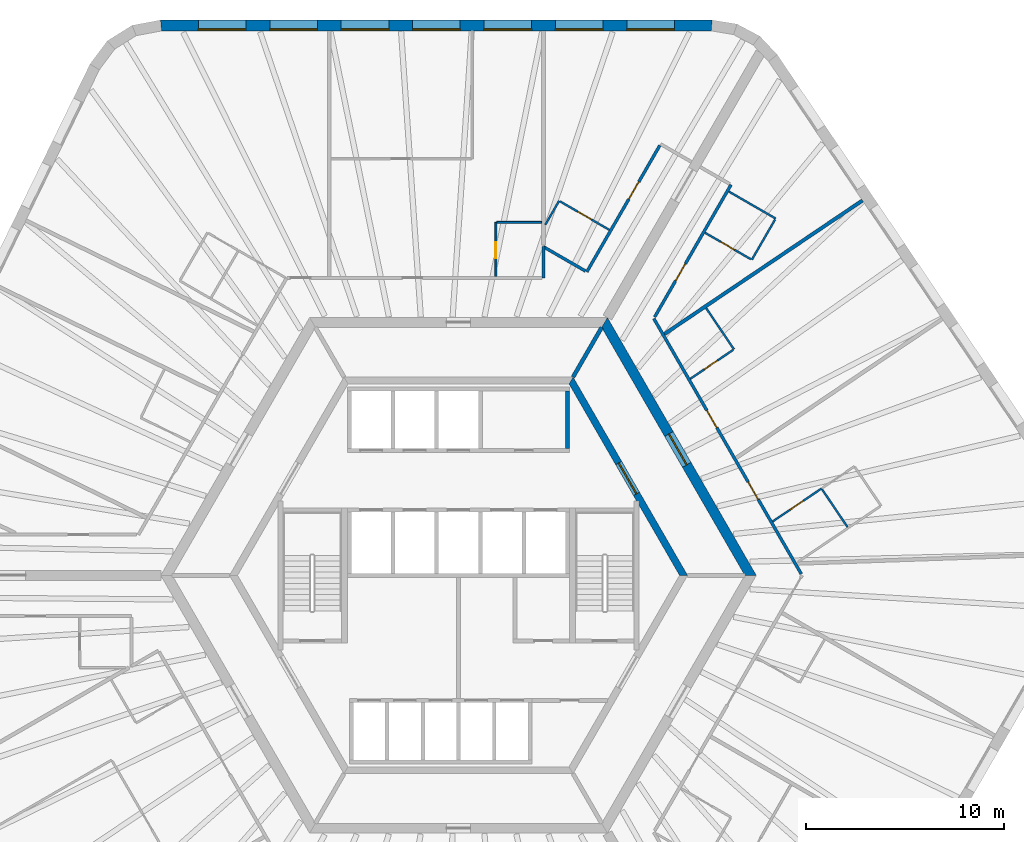
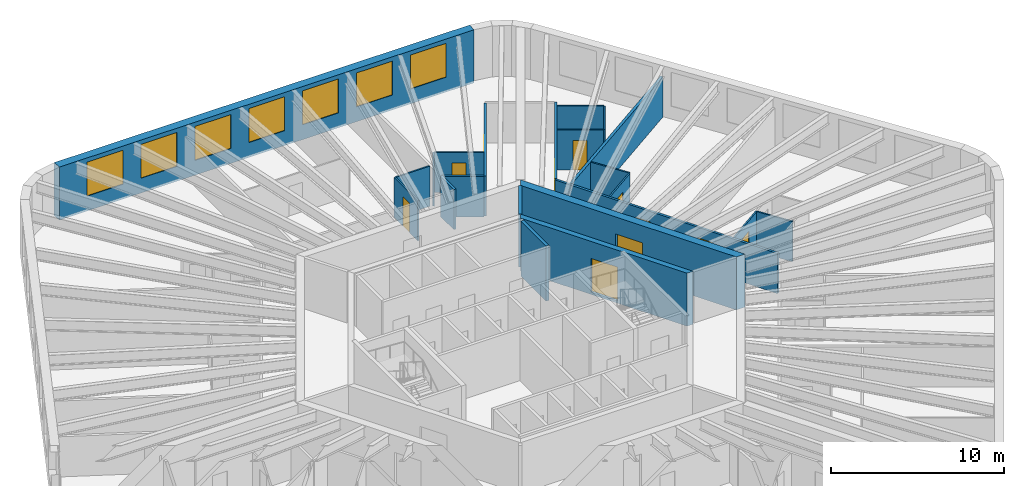
# One storey, part 8 of 10: 22 walls, 11 doors, 7 windows, 18 openings.
"""IFC4 building model written with IfcOpenShell, lengths in metres."""

from ifc_helpers import new_model, si_unit, direction, frame, frame_2d, origin, place, context, subcontext, project, spatial, polyline, rectangle, outline, extrude, material, layer, layer_set, type_object, element, fill, save


model = new_model("IFC4")

# Units and contexts
model_context = context("Model", 3, precision=1e-05, world=origin(), true_north=direction((0.0, 1.0)))
body_context = subcontext(model_context, "Body", "Model", "MODEL_VIEW")
ifc_project = project(units=[si_unit("LENGTHUNIT", "METRE"), si_unit("AREAUNIT", "SQUARE_METRE"), si_unit("VOLUMEUNIT", "CUBIC_METRE"), si_unit("PLANEANGLEUNIT", "RADIAN"), si_unit("MASSUNIT", "GRAM", prefix="KILO")], contexts=[model_context])

# Site, building, storey
site_placement = place(None, origin())
site = spatial("IfcSite", under=ifc_project, at=site_placement, CompositionType="ELEMENT")
building_placement = place(site_placement, origin())
building = spatial("IfcBuilding", under=site, at=building_placement, Name="Tarnside Tower", CompositionType="ELEMENT")
storey_placement = place(building_placement, frame((0.0, 0.0, 246.300048828125)))
storey = spatial("IfcBuildingStorey", under=building, at=storey_placement, Name="L59", CompositionType="ELEMENT", Elevation=246.300048828125)

# Wall
ifc_material_1 = material(Name="Gypsum board partition on steel studs", Category="steel")
ifc_layer_1 = layer(ifc_material_1, 0.10009765625)
ifc_layer_set_1 = layer_set([ifc_layer_1], Name="Bathroom wall 100")
wall_type_1 = type_object("IfcWallType", Name="Bathroom wall 100", PredefinedType="PARTITIONING", material=ifc_layer_set_1)
wall_1_placement = place(storey_placement, frame((4.3720703125, 17.6728515625, 0.0), z_axis=(0.0, 0.0, 1.0), x_axis=(0.50007068215, 0.86598459158, 0.0)))
element("IfcWall", 1, at=wall_1_placement, inside=storey, type_object=wall_type_1, Name="Bathroom wall 19051", PredefinedType="PARTITIONING", context=body_context, shape_type="SweptSolid", body=[
    extrude(rectangle(XDim=1.395751953125, YDim=0.10009765625, at=frame_2d((0.69775390625, 0.0))), origin(), (0.0, 0.0, 1.0), 2.837646484375),
])

# Wall, opening, door
wall_2_placement = place(storey_placement, frame((5.11328125, 18.856689453125, 0.0), z_axis=(0.0, 0.0, 1.0), x_axis=(0.866039941686, -0.499974818771, 0.0)))
wall_2 = element("IfcWall", 2, at=wall_2_placement, inside=storey, type_object=wall_type_1, Name="Bathroom wall 19052", PredefinedType="PARTITIONING", context=body_context, shape_type="SweptSolid", body=[
    extrude(rectangle(XDim=2.875244140625, YDim=0.10009765625, at=frame_2d((1.4375, 0.0))), origin(), (0.0, 0.0, 1.0), 2.837646484375),
])
opening_1_placement = place(wall_2_placement, frame((1.050048828125, 0.0, 0.0)))
opening_1 = element("IfcOpeningElement", 3, at=opening_1_placement, cuts=wall_2, Name="Opening D-B1", PredefinedType="OPENING", context=body_context, shape_type="SweptSolid", body=[
    extrude(rectangle(XDim=0.800048828125, YDim=2.10009765625, at=frame_2d((0.39990234375, 1.050048828125))), frame((0.0, 0.06005859375, 0.0), z_axis=(0.0, -1.0, 0.0), x_axis=(1.0, 0.0, 0.0)), (0.0, 0.0, 1.0), 0.1201171875),
])
ifc_material_2 = material(Name="Timber door leaf", Category="wood")
door_type_1 = type_object("IfcDoorType", Name="Bathroom door 800", OperationType="NOTDEFINED", PredefinedType="DOOR", material=ifc_material_2)
door_1_placement = place(opening_1_placement, origin())
door_1 = element("IfcDoor", 4, at=door_1_placement, inside=storey, type_object=door_type_1, Name="Bathroom door 19002", OperationType="SINGLE_SWING_RIGHT", OverallHeight=2.10009765625, OverallWidth=0.800048828125, PredefinedType="DOOR", context=body_context, shape_type="SweptSolid", body=[
    extrude(rectangle(XDim=0.800048828125, YDim=2.10009765625, at=frame_2d((0.39990234375, 1.050048828125))), frame((0.0, 0.02490234375, 0.0), z_axis=(0.0, -1.0, 0.0), x_axis=(1.0, 0.0, 0.0)), (0.0, 0.0, 1.0), 0.050048828125),
])
fill(opening_1, door_1)

wall_3_placement = place(storey_placement, frame((1.882080078125, 15.074951171875, 0.0), z_axis=(0.0, 0.0, 1.0), x_axis=(0.0, 1.0, 0.0)))
wall_3 = element("IfcWall", 5, at=wall_3_placement, inside=storey, type_object=wall_type_1, Name="Bathroom wall 19056", PredefinedType="PARTITIONING", context=body_context, shape_type="SweptSolid", body=[
    extrude(rectangle(XDim=2.72509765625, YDim=0.10009765625, at=frame_2d((1.362548828125, 0.0))), origin(), (0.0, 0.0, 1.0), 2.837646484375),
])
opening_2_placement = place(wall_3_placement, frame((0.925048828125, 0.0, 0.0)))
opening_2 = element("IfcOpeningElement", 6, at=opening_2_placement, cuts=wall_3, Name="Opening D-B1", PredefinedType="OPENING", context=body_context, shape_type="SweptSolid", body=[
    extrude(rectangle(XDim=0.800048828125, YDim=2.10009765625, at=frame_2d((0.39990234375, 1.050048828125))), frame((0.0, 0.06005859375, 0.0), z_axis=(0.0, -1.0, 0.0), x_axis=(1.0, 0.0, 0.0)), (0.0, 0.0, 1.0), 0.1201171875),
])
door_2_placement = place(opening_2_placement, origin())
door_2 = element("IfcDoor", 7, at=door_2_placement, inside=storey, type_object=door_type_1, Name="Bathroom door 19004", OperationType="SINGLE_SWING_RIGHT", OverallHeight=2.10009765625, OverallWidth=0.800048828125, PredefinedType="DOOR", context=body_context, shape_type="SweptSolid", body=[
    extrude(rectangle(XDim=0.800048828125, YDim=2.10009765625, at=frame_2d((0.39990234375, 1.050048828125))), frame((0.0, 0.02490234375, 0.0), z_axis=(0.0, -1.0, 0.0), x_axis=(1.0, 0.0, 0.0)), (0.0, 0.0, 1.0), 0.050048828125),
])
fill(opening_2, door_2)

# Wall
wall_4_placement = place(storey_placement, frame((1.93212890625, 17.800048828125, 0.0), z_axis=(0.0, 0.0, 1.0), x_axis=(1.0, 0.0, 0.0)))
element("IfcWall", 8, at=wall_4_placement, inside=storey, type_object=wall_type_1, Name="Bathroom wall 19057", PredefinedType="PARTITIONING", context=body_context, shape_type="SweptSolid", body=[
    extrude(rectangle(XDim=2.260009765625, YDim=0.10009765625, at=frame_2d((1.1298828125, 0.0))), origin(), (0.0, 0.0, 1.0), 2.837646484375),
])

# Wall, opening, door
wall_5_placement = place(storey_placement, frame((15.837646484375, 2.718505859375, 0.0), z_axis=(0.0, 0.0, 1.0), x_axis=(0.829027811096, 0.559207375156, 0.0)))
wall_5 = element("IfcWall", 9, at=wall_5_placement, inside=storey, type_object=wall_type_1, Name="Bathroom wall 19110", PredefinedType="PARTITIONING", context=body_context, shape_type="SweptSolid", body=[
    extrude(rectangle(XDim=2.9697265625, YDim=0.10009765625, at=frame_2d((1.48486328125, 0.0))), origin(), (0.0, 0.0, 1.0), 2.837646484375),
])
opening_3_placement = place(wall_5_placement, frame((1.06982421875, 0.0, 0.0)))
opening_3 = element("IfcOpeningElement", 10, at=opening_3_placement, cuts=wall_5, Name="Opening D-B1", PredefinedType="OPENING", context=body_context, shape_type="SweptSolid", body=[
    extrude(rectangle(XDim=0.800048828125, YDim=2.10009765625, at=frame_2d((0.39990234375, 1.050048828125))), frame((0.0, 0.06005859375, 0.0), z_axis=(0.0, -1.0, 0.0), x_axis=(1.0, 0.0, 0.0)), (0.0, 0.0, 1.0), 0.1201171875),
])
door_3_placement = place(opening_3_placement, origin())
door_3 = element("IfcDoor", 11, at=door_3_placement, inside=storey, type_object=door_type_1, Name="Bathroom door 19033", OperationType="SINGLE_SWING_RIGHT", OverallHeight=2.10009765625, OverallWidth=0.800048828125, PredefinedType="DOOR", context=body_context, shape_type="SweptSolid", body=[
    extrude(rectangle(XDim=0.800048828125, YDim=2.10009765625, at=frame_2d((0.39990234375, 1.050048828125))), frame((0.0, 0.02490234375, 0.0), z_axis=(0.0, -1.0, 0.0), x_axis=(1.0, 0.0, 0.0)), (0.0, 0.0, 1.0), 0.050048828125),
])
fill(opening_3, door_3)

# Walls
wall_6_placement = place(storey_placement, frame((19.61376953125, 2.430908203125, 0.0), z_axis=(0.0, 0.0, 1.0), x_axis=(-0.559199358977, 0.829033218225, 0.0)))
element("IfcWall", 12, at=wall_6_placement, inside=storey, type_object=wall_type_1, Name="Bathroom wall 19116", PredefinedType="PARTITIONING", context=body_context, shape_type="SweptSolid", body=[
    extrude(rectangle(XDim=2.300048828125, YDim=0.10009765625, at=frame_2d((1.14990234375, 0.0))), origin(), (0.0, 0.0, 1.0), 2.837646484375),
])
wall_7_placement = place(storey_placement, frame((12.482666015625, 13.47607421875, 0.0), z_axis=(0.0, 0.0, 1.0), x_axis=(0.559203861497, -0.829030181168, 0.0)))
element("IfcWall", 13, at=wall_7_placement, inside=storey, type_object=wall_type_1, Name="Bathroom wall 19117", PredefinedType="PARTITIONING", context=body_context, shape_type="SweptSolid", body=[
    extrude(rectangle(XDim=2.510009765625, YDim=0.10009765625, at=frame_2d((1.2548828125, 0.0))), origin(), (0.0, 0.0, 1.0), 2.837646484375),
])

# Wall, opening, door
wall_8_placement = place(storey_placement, frame((13.8447265625, 11.3671875, 0.0), z_axis=(0.0, 0.0, 1.0), x_axis=(-0.829068087245, -0.55914766092, 0.0)))
wall_8 = element("IfcWall", 14, at=wall_8_placement, inside=storey, type_object=wall_type_1, Name="Bathroom wall 19118", PredefinedType="PARTITIONING", context=body_context, shape_type="SweptSolid", body=[
    extrude(rectangle(XDim=2.60498046875, YDim=0.10009765625, at=frame_2d((1.302490234375, 0.0))), origin(), (0.0, 0.0, 1.0), 2.837646484375),
])
opening_4_placement = place(wall_8_placement, frame((0.949951171875, 0.0, 0.0)))
opening_4 = element("IfcOpeningElement", 15, at=opening_4_placement, cuts=wall_8, Name="Opening D-B1", PredefinedType="OPENING", context=body_context, shape_type="SweptSolid", body=[
    extrude(rectangle(XDim=0.800048828125, YDim=2.10009765625, at=frame_2d((0.39990234375, 1.050048828125))), frame((0.0, 0.06005859375, 0.0), z_axis=(0.0, -1.0, 0.0), x_axis=(1.0, 0.0, 0.0)), (0.0, 0.0, 1.0), 0.1201171875),
])
door_4_placement = place(opening_4_placement, origin())
door_4 = element("IfcDoor", 16, at=door_4_placement, inside=storey, type_object=door_type_1, Name="Bathroom door 19036", OperationType="SINGLE_SWING_LEFT", OverallHeight=2.10009765625, OverallWidth=0.800048828125, PredefinedType="DOOR", context=body_context, shape_type="SweptSolid", body=[
    extrude(rectangle(XDim=0.800048828125, YDim=2.10009765625, at=frame_2d((0.39990234375, 1.050048828125))), frame((0.0, 0.02490234375, 0.0), z_axis=(0.0, -1.0, 0.0), x_axis=(1.0, 0.0, 0.0)), (0.0, 0.0, 1.0), 0.050048828125),
])
fill(opening_4, door_4)

# Walls
wall_9_placement = place(storey_placement, frame((13.626708984375, 19.352294921875, 0.0), z_axis=(0.0, 0.0, 1.0), x_axis=(0.866012511928, -0.500022328685, 0.0)))
element("IfcWall", 17, at=wall_9_placement, inside=storey, type_object=wall_type_1, Name="Bathroom wall 19121", PredefinedType="PARTITIONING", context=body_context, shape_type="SweptSolid", body=[
    extrude(rectangle(XDim=2.72509765625, YDim=0.10009765625, at=frame_2d((1.362548828125, 0.0))), origin(), (0.0, 0.0, 1.0), 2.837646484375),
])
wall_10_placement = place(storey_placement, frame((15.961669921875, 17.946533203125, 0.0), z_axis=(0.0, 0.0, 1.0), x_axis=(-0.500016218704, -0.866016039709, 0.0)))
element("IfcWall", 18, at=wall_10_placement, inside=storey, type_object=wall_type_1, Name="Bathroom wall 19122", PredefinedType="PARTITIONING", context=body_context, shape_type="SweptSolid", body=[
    extrude(rectangle(XDim=2.35009765625, YDim=0.10009765625, at=frame_2d((1.175048828125, 0.0))), origin(), (0.0, 0.0, 1.0), 2.837646484375),
])

# Wall, opening, door
wall_11_placement = place(storey_placement, frame((14.743408203125, 15.936279296875, 0.0), z_axis=(0.0, 0.0, 1.0), x_axis=(-0.86604424267, 0.499967368674, 0.0)))
wall_11 = element("IfcWall", 19, at=wall_11_placement, inside=storey, type_object=wall_type_1, Name="Bathroom wall 19123", PredefinedType="PARTITIONING", context=body_context, shape_type="SweptSolid", body=[
    extrude(rectangle(XDim=2.675048828125, YDim=0.10009765625, at=frame_2d((1.33740234375, 0.0))), origin(), (0.0, 0.0, 1.0), 2.837646484375),
])
opening_5_placement = place(wall_11_placement, frame((0.949951171875, 0.0, 0.0)))
opening_5 = element("IfcOpeningElement", 20, at=opening_5_placement, cuts=wall_11, Name="Opening D-B1", PredefinedType="OPENING", context=body_context, shape_type="SweptSolid", body=[
    extrude(rectangle(XDim=0.800048828125, YDim=2.10009765625, at=frame_2d((0.39990234375, 1.050048828125))), frame((0.0, 0.06005859375, 0.0), z_axis=(0.0, -1.0, 0.0), x_axis=(1.0, 0.0, 0.0)), (0.0, 0.0, 1.0), 0.1201171875),
])
door_5_placement = place(opening_5_placement, origin())
door_5 = element("IfcDoor", 21, at=door_5_placement, inside=storey, type_object=door_type_1, Name="Bathroom door 19038", OperationType="SINGLE_SWING_RIGHT", OverallHeight=2.10009765625, OverallWidth=0.800048828125, PredefinedType="DOOR", context=body_context, shape_type="SweptSolid", body=[
    extrude(rectangle(XDim=0.800048828125, YDim=2.10009765625, at=frame_2d((0.39990234375, 1.050048828125))), frame((0.0, 0.02490234375, 0.0), z_axis=(0.0, -1.0, 0.0), x_axis=(1.0, 0.0, 0.0)), (0.0, 0.0, 1.0), 0.050048828125),
])
fill(opening_5, door_5)

ifc_material_3 = material(Name="Concrete C50/60", Category="concrete")
ifc_layer_2 = layer(ifc_material_3, 0.35009765625)
ifc_layer_set_2 = layer_set([ifc_layer_2], Name="Core block wall 350 C50/60")
wall_type_2 = type_object("IfcWallType", Name="Core block wall 350 C50/60", PredefinedType="SHEAR", material=ifc_layer_set_2)
wall_12_placement = place(storey_placement, frame((11.344970703125, 0.0, -0.150146484375), z_axis=(0.0, 0.0, 1.0), x_axis=(-0.499995046907, 0.866028263435, 0.0)))
wall_12 = element("IfcWall", 22, at=wall_12_placement, inside=storey, type_object=wall_type_2, Name="L59 core block wall face 6", PredefinedType="SHEAR", context=body_context, shape_type="SweptSolid", body=[
    extrude(outline(polyline([(-0.10107421875, -0.175048828125), (11.44580078125, -0.175048828125), (11.24365234375, 0.175048828125), (0.10107421875, 0.175048828125), (-0.10107421875, -0.175048828125)])), origin(), (0.0, 0.0, 1.0), 3.75),
])
opening_6_placement = place(wall_12_placement, frame((4.74365234375, 0.0, 0.14990234375)))
opening_6 = element("IfcOpeningElement", 23, at=opening_6_placement, cuts=wall_12, Name="Opening CD-LOB", PredefinedType="OPENING", context=body_context, shape_type="SweptSolid", body=[
    extrude(rectangle(XDim=1.800048828125, YDim=2.39990234375, at=frame_2d((0.89990234375, 1.199951171875))), frame((0.0, 0.18505859375, 0.0), z_axis=(0.0, -1.0, 0.0), x_axis=(1.0, 0.0, 0.0)), (0.0, 0.0, 1.0), 0.3701171875),
])
ifc_material_4 = material(Name="Steel fire door", Category="steel")
door_type_2 = type_object("IfcDoorType", Name="Lobby double door FD30S 1800x2400", OperationType="NOTDEFINED", PredefinedType="DOOR", material=ifc_material_4)
door_6_placement = place(opening_6_placement, origin())
door_6 = element("IfcDoor", 24, at=door_6_placement, inside=storey, type_object=door_type_2, Name="L59 lobby block door P2", OperationType="DOUBLE_DOOR_SINGLE_SWING", OverallHeight=2.39990234375, OverallWidth=1.800048828125, PredefinedType="DOOR", context=body_context, shape_type="SweptSolid", body=[
    extrude(rectangle(XDim=1.800048828125, YDim=2.39990234375, at=frame_2d((0.89990234375, 1.199951171875))), frame((0.0, 0.02490234375, 0.0), z_axis=(0.0, -1.0, 0.0), x_axis=(1.0, 0.0, 0.0)), (0.0, 0.0, 1.0), 0.050048828125),
])
fill(opening_6, door_6)

ifc_material_5 = material(Name="Concrete C70/85", Category="concrete")
ifc_layer_3 = layer(ifc_material_5, 0.5)
ifc_layer_set_3 = layer_set([ifc_layer_3], Name="Core wall Z2 500 C70/85")
wall_type_3 = type_object("IfcWallType", Name="Core wall Z2 500 C70/85", PredefinedType="SHEAR", material=ifc_layer_set_3)
wall_13_placement = place(storey_placement, frame((14.722412109375, 0.0, -0.150146484375), z_axis=(0.0, 0.0, 1.0), x_axis=(-0.50000571537, 0.866022103989, 0.0)))
wall_13 = element("IfcWall", 25, at=wall_13_placement, inside=storey, type_object=wall_type_3, Name="L59 core wall face 6", PredefinedType="SHEAR", context=body_context, shape_type="SweptSolid", body=[
    extrude(outline(polyline([(-0.144287109375, -0.25), (14.86669921875, -0.25), (14.578125, 0.25), (0.144287109375, 0.25), (-0.144287109375, -0.25)])), origin(), (0.0, 0.0, 1.0), 3.75),
])
opening_7_placement = place(wall_13_placement, frame((6.432373046875, 0.0, 0.14990234375)))
opening_7 = element("IfcOpeningElement", 26, at=opening_7_placement, cuts=wall_13, Name="Opening CD-LOB", PredefinedType="OPENING", context=body_context, shape_type="SweptSolid", body=[
    extrude(rectangle(XDim=1.800048828125, YDim=2.39990234375, at=frame_2d((0.89990234375, 1.199951171875))), frame((0.0, 0.260009765625, 0.0), z_axis=(0.0, -1.0, 0.0), x_axis=(1.0, 0.0, 0.0)), (0.0, 0.0, 1.0), 0.52001953125),
])
door_7_placement = place(opening_7_placement, origin())
door_7 = element("IfcDoor", 27, at=door_7_placement, inside=storey, type_object=door_type_2, Name="L59 core door P2", OperationType="DOUBLE_DOOR_SINGLE_SWING", OverallHeight=2.39990234375, OverallWidth=1.800048828125, PredefinedType="DOOR", context=body_context, shape_type="SweptSolid", body=[
    extrude(rectangle(XDim=1.800048828125, YDim=2.39990234375, at=frame_2d((0.89990234375, 1.199951171875))), frame((0.0, 0.02490234375, 0.0), z_axis=(0.0, -1.0, 0.0), x_axis=(1.0, 0.0, 0.0)), (0.0, 0.0, 1.0), 0.050048828125),
])
fill(opening_7, door_7)

ifc_layer_4 = layer(ifc_material_1, 0.14990234375)
ifc_layer_set_4 = layer_set([ifc_layer_4], Name="Corridor wall 150 EI 60")
wall_type_4 = type_object("IfcWallType", Name="Corridor wall 150 EI 60", PredefinedType="PARTITIONING", material=ifc_layer_set_4)
wall_14_placement = place(storey_placement, frame((10.148681640625, 21.677978515625, 0.0), z_axis=(0.0, 0.0, 1.0), x_axis=(-0.500020076982, -0.866013812023, 0.0)))
wall_14 = element("IfcWall", 28, at=wall_14_placement, inside=storey, type_object=wall_type_4, Name="Corridor wall 19002", PredefinedType="PARTITIONING", context=body_context, shape_type="SweptSolid", body=[
    extrude(rectangle(XDim=7.361083984375, YDim=0.14990234375, at=frame_2d((3.6806640625, 0.0))), origin(), (0.0, 0.0, 1.0), 2.837646484375),
])
opening_8_placement = place(wall_14_placement, frame((2.117919921875, 0.0, 0.0)))
opening_8 = element("IfcOpeningElement", 29, at=opening_8_placement, cuts=wall_14, Name="Opening D-E1", PredefinedType="OPENING", context=body_context, shape_type="SweptSolid", body=[
    extrude(rectangle(XDim=1.0, YDim=2.10009765625, at=frame_2d((0.5, 1.050048828125))), frame((0.0, 0.0849609375, 0.0), z_axis=(0.0, -1.0, 0.0), x_axis=(1.0, 0.0, 0.0)), (0.0, 0.0, 1.0), 0.169921875),
])
door_type_3 = type_object("IfcDoorType", Name="Unit entrance door 1000 FD30S", OperationType="NOTDEFINED", PredefinedType="DOOR", material=ifc_material_2)
door_8_placement = place(opening_8_placement, origin())
door_8 = element("IfcDoor", 30, at=door_8_placement, inside=storey, type_object=door_type_3, Name="Unit door 19001", OperationType="SINGLE_SWING_LEFT", OverallHeight=2.10009765625, OverallWidth=1.0, PredefinedType="DOOR", context=body_context, shape_type="SweptSolid", body=[
    extrude(rectangle(XDim=1.0, YDim=2.10009765625, at=frame_2d((0.5, 1.050048828125))), frame((0.0, 0.02490234375, 0.0), z_axis=(0.0, -1.0, 0.0), x_axis=(1.0, 0.0, 0.0)), (0.0, 0.0, 1.0), 0.050048828125),
])
fill(opening_8, door_8)

# Walls
wall_15_placement = place(storey_placement, frame((6.403076171875, 15.340576171875, 0.0), z_axis=(0.0, 0.0, 1.0), x_axis=(-0.8660013066, 0.500041735226, 0.0)))
element("IfcWall", 31, at=wall_15_placement, inside=storey, type_object=wall_type_4, Name="Corridor wall 19004", PredefinedType="PARTITIONING", context=body_context, shape_type="SweptSolid", body=[
    extrude(rectangle(XDim=2.448974609375, YDim=0.14990234375, at=frame_2d((1.224609375, 0.0))), origin(), (0.0, 0.0, 1.0), 2.837646484375),
])
wall_16_placement = place(storey_placement, frame((4.2822265625, 16.569091796875, 0.0), z_axis=(0.0, 0.0, 1.0), x_axis=(0.0, -1.0, 0.0)))
element("IfcWall", 32, at=wall_16_placement, inside=storey, type_object=wall_type_4, Name="Corridor wall 19006", PredefinedType="PARTITIONING", context=body_context, shape_type="SweptSolid", body=[
    extrude(rectangle(XDim=1.569091796875, YDim=0.14990234375, at=frame_2d((0.78466796875, 0.0))), origin(), (0.0, 0.0, 1.0), 2.837646484375),
])

# Wall, openings, doors
wall_17_placement = place(storey_placement, frame((17.277099609375, 0.074951171875, 0.0), z_axis=(0.0, 0.0, 1.0), x_axis=(-0.499998228944, 0.866026426302, 0.0)))
wall_17 = element("IfcWall", 33, at=wall_17_placement, inside=storey, type_object=wall_type_4, Name="Corridor wall 19041", PredefinedType="PARTITIONING", context=body_context, shape_type="SweptSolid", body=[
    extrude(rectangle(XDim=14.86669921875, YDim=0.14990234375, at=frame_2d((7.433349609375, 0.0))), origin(), (0.0, 0.0, 1.0), 2.837646484375),
])
opening_9_placement = place(wall_17_placement, frame((4.3447265625, 0.0, 0.0)))
opening_9 = element("IfcOpeningElement", 34, at=opening_9_placement, cuts=wall_17, Name="Opening D-E1", PredefinedType="OPENING", context=body_context, shape_type="SweptSolid", body=[
    extrude(rectangle(XDim=1.0, YDim=2.10009765625, at=frame_2d((0.5, 1.050048828125))), frame((0.0, 0.0849609375, 0.0), z_axis=(0.0, -1.0, 0.0), x_axis=(1.0, 0.0, 0.0)), (0.0, 0.0, 1.0), 0.169921875),
])
opening_10_placement = place(wall_17_placement, frame((8.509521484375, 0.0, 0.0)))
opening_10 = element("IfcOpeningElement", 35, at=opening_10_placement, cuts=wall_17, Name="Opening D-E1", PredefinedType="OPENING", context=body_context, shape_type="SweptSolid", body=[
    extrude(rectangle(XDim=1.0, YDim=2.10009765625, at=frame_2d((0.5, 1.050048828125))), frame((0.0, 0.0849609375, 0.0), z_axis=(0.0, -1.0, 0.0), x_axis=(1.0, 0.0, 0.0)), (0.0, 0.0, 1.0), 0.169921875),
])
door_9_placement = place(opening_9_placement, origin())
door_9 = element("IfcDoor", 36, at=door_9_placement, inside=storey, type_object=door_type_3, Name="Unit door 19032", OperationType="SINGLE_SWING_LEFT", OverallHeight=2.10009765625, OverallWidth=1.0, PredefinedType="DOOR", context=body_context, shape_type="SweptSolid", body=[
    extrude(rectangle(XDim=1.0, YDim=2.10009765625, at=frame_2d((0.5, 1.050048828125))), frame((0.0, 0.02490234375, 0.0), z_axis=(0.0, -1.0, 0.0), x_axis=(1.0, 0.0, 0.0)), (0.0, 0.0, 1.0), 0.050048828125),
])
fill(opening_9, door_9)
door_10_placement = place(opening_10_placement, origin())
door_10 = element("IfcDoor", 37, at=door_10_placement, inside=storey, type_object=door_type_3, Name="Unit door 19035", OperationType="SINGLE_SWING_RIGHT", OverallHeight=2.10009765625, OverallWidth=1.0, PredefinedType="DOOR", context=body_context, shape_type="SweptSolid", body=[
    extrude(rectangle(XDim=1.0, YDim=2.10009765625, at=frame_2d((0.5, 1.050048828125))), frame((0.0, 0.02490234375, 0.0), z_axis=(0.0, -1.0, 0.0), x_axis=(1.0, 0.0, 0.0)), (0.0, 0.0, 1.0), 0.050048828125),
])
fill(opening_10, door_10)

# Wall, opening, door
wall_18_placement = place(storey_placement, frame((9.88720703125, 13.02490234375, 0.0), z_axis=(0.0, 0.0, 1.0), x_axis=(0.499985955615, 0.866033512162, 0.0)))
wall_18 = element("IfcWall", 38, at=wall_18_placement, inside=storey, type_object=wall_type_4, Name="Corridor wall 19047", PredefinedType="PARTITIONING", context=body_context, shape_type="SweptSolid", body=[
    extrude(rectangle(XDim=7.699462890625, YDim=0.14990234375, at=frame_2d((3.849609375, 0.0))), origin(), (0.0, 0.0, 1.0), 2.837646484375),
])
opening_11_placement = place(wall_18_placement, frame((2.1064453125, 0.0, 0.0)))
opening_11 = element("IfcOpeningElement", 39, at=opening_11_placement, cuts=wall_18, Name="Opening D-E1", PredefinedType="OPENING", context=body_context, shape_type="SweptSolid", body=[
    extrude(rectangle(XDim=1.0, YDim=2.10009765625, at=frame_2d((0.5, 1.050048828125))), frame((0.0, 0.0849609375, 0.0), z_axis=(0.0, -1.0, 0.0), x_axis=(1.0, 0.0, 0.0)), (0.0, 0.0, 1.0), 0.169921875),
])
door_11_placement = place(opening_11_placement, origin())
door_11 = element("IfcDoor", 40, at=door_11_placement, inside=storey, type_object=door_type_3, Name="Unit door 19037", OperationType="SINGLE_SWING_RIGHT", OverallHeight=2.10009765625, OverallWidth=1.0, PredefinedType="DOOR", context=body_context, shape_type="SweptSolid", body=[
    extrude(rectangle(XDim=1.0, YDim=2.10009765625, at=frame_2d((0.5, 1.050048828125))), frame((0.0, 0.02490234375, 0.0), z_axis=(0.0, -1.0, 0.0), x_axis=(1.0, 0.0, 0.0)), (0.0, 0.0, 1.0), 0.050048828125),
])
fill(opening_11, door_11)

# Walls
ifc_layer_5 = layer(ifc_material_1, 0.179931640625)
ifc_layer_set_5 = layer_set([ifc_layer_5], Name="Demising wall 180 EI 60")
wall_type_5 = type_object("IfcWallType", Name="Demising wall 180 EI 60", PredefinedType="PARTITIONING", material=ifc_layer_set_5)
wall_19_placement = place(storey_placement, frame((20.362548828125, 18.89990234375, 0.0), z_axis=(0.0, 0.0, 1.0), x_axis=(-0.829027307641, -0.559208121531, 0.0)))
element("IfcWall", 41, at=wall_19_placement, inside=storey, type_object=wall_type_5, Name="Demising wall 19119", PredefinedType="PARTITIONING", context=body_context, shape_type="SweptSolid", body=[
    extrude(rectangle(XDim=12.038818359375, YDim=0.179931640625, at=frame_2d((6.01953125, 0.0))), origin(), (0.0, 0.0, 1.0), 2.837646484375),
])
ifc_material_6 = material(Name="Concrete C40/50", Category="concrete")
ifc_layer_6 = layer(ifc_material_6, 0.199951171875)
ifc_layer_set_6 = layer_set([ifc_layer_6], Name="Lift shaft wall 200 C40/50")
wall_type_6 = type_object("IfcWallType", Name="Lift shaft wall 200 C40/50", PredefinedType="SHEAR", material=ifc_layer_set_6)
wall_20_placement = place(storey_placement, frame((5.5, 6.39990234375, -0.25), z_axis=(0.0, 0.0, 1.0), x_axis=(0.0, 1.0, 0.0)))
element("IfcWall", 42, at=wall_20_placement, inside=storey, type_object=wall_type_6, Name="L59 lift shaft partition R16", PredefinedType="SHEAR", context=body_context, shape_type="SweptSolid", body=[
    extrude(rectangle(XDim=2.900146484375, YDim=0.199951171875, at=frame_2d((1.4501953125, 0.0))), origin(), (0.0, 0.0, 1.0), 3.89990234375),
])
wall_21_placement = place(storey_placement, frame((5.7734375, 10.0, -0.150146484375), z_axis=(0.0, 0.0, 1.0), x_axis=(0.499995765644, 0.866027848477, 0.0)))
element("IfcWall", 43, at=wall_21_placement, inside=storey, type_object=wall_type_6, Name="L59 core partition AR60", PredefinedType="SHEAR", context=body_context, shape_type="SweptSolid", body=[
    extrude(rectangle(XDim=2.88671875, YDim=0.199951171875, at=frame_2d((1.443359375, 0.0))), origin(), (0.0, 0.0, 1.0), 3.75),
])

# Wall, openings, windows
ifc_material_7 = material(Name="Facing brick", Category="masonry")
ifc_layer_7 = layer(ifc_material_7, 0.10205078125)
ifc_material_8 = material(Name="Concrete C60/75 precast", Category="concrete")
ifc_layer_8 = layer(ifc_material_8, 0.347900390625)
ifc_material_9 = material(Name="Mineral wool insulation")
ifc_layer_9 = layer(ifc_material_9, 0.10009765625)
ifc_layer_set_7 = layer_set([ifc_layer_7, ifc_layer_8, ifc_layer_9], Name="Tube wall 550 brick faced")
wall_type_7 = type_object("IfcWallType", Name="Tube wall 550 brick faced", PredefinedType="SOLIDWALL", material=ifc_layer_set_7)
wall_22_placement = place(storey_placement, frame((12.760986328125, 27.72509765625, -0.150146484375), z_axis=(0.0, 0.0, 1.0), x_axis=(-1.0, 0.0, 0.0)))
wall_22 = element("IfcWall", 44, at=wall_22_placement, inside=storey, type_object=wall_type_7, Name="Tube wall L59 F1 flush 00", PredefinedType="SOLIDWALL", context=body_context, shape_type="SweptSolid", body=[
    extrude(outline(polyline([(-0.0224609375, -0.27490234375), (27.783447265625, -0.27490234375), (27.732177734375, 0.27490234375), (0.0224609375, 0.27490234375), (-0.0224609375, -0.27490234375)])), origin(), (0.0, 0.0, 1.0), 3.75),
])
opening_12_placement = place(wall_22_placement, frame((1.87890625, 0.0, 1.050048828125)))
opening_12 = element("IfcOpeningElement", 45, at=opening_12_placement, cuts=wall_22, Name="Opening WH", PredefinedType="OPENING", context=body_context, shape_type="SweptSolid", body=[
    extrude(rectangle(XDim=2.39990234375, YDim=2.39990234375, at=frame_2d((1.199951171875, 1.199951171875))), frame((0.0, 0.28515625, 0.0), z_axis=(0.0, -1.0, 0.0), x_axis=(1.0, 0.0, 0.0)), (0.0, 0.0, 1.0), 0.570068359375),
])
opening_13_placement = place(wall_22_placement, frame((5.47900390625, 0.0, 1.050048828125)))
opening_13 = element("IfcOpeningElement", 46, at=opening_13_placement, cuts=wall_22, Name="Opening WH", PredefinedType="OPENING", context=body_context, shape_type="SweptSolid", body=[
    extrude(rectangle(XDim=2.39990234375, YDim=2.39990234375, at=frame_2d((1.199951171875, 1.199951171875))), frame((0.0, 0.28515625, 0.0), z_axis=(0.0, -1.0, 0.0), x_axis=(1.0, 0.0, 0.0)), (0.0, 0.0, 1.0), 0.570068359375),
])
opening_14_placement = place(wall_22_placement, frame((9.078857421875, 0.0, 1.050048828125)))
opening_14 = element("IfcOpeningElement", 47, at=opening_14_placement, cuts=wall_22, Name="Opening WH", PredefinedType="OPENING", context=body_context, shape_type="SweptSolid", body=[
    extrude(rectangle(XDim=2.39990234375, YDim=2.39990234375, at=frame_2d((1.199951171875, 1.199951171875))), frame((0.0, 0.28515625, 0.0), z_axis=(0.0, -1.0, 0.0), x_axis=(1.0, 0.0, 0.0)), (0.0, 0.0, 1.0), 0.570068359375),
])
opening_15_placement = place(wall_22_placement, frame((12.678955078125, 0.0, 1.050048828125)))
opening_15 = element("IfcOpeningElement", 48, at=opening_15_placement, cuts=wall_22, Name="Opening WH", PredefinedType="OPENING", context=body_context, shape_type="SweptSolid", body=[
    extrude(rectangle(XDim=2.39990234375, YDim=2.39990234375, at=frame_2d((1.199951171875, 1.199951171875))), frame((0.0, 0.28515625, 0.0), z_axis=(0.0, -1.0, 0.0), x_axis=(1.0, 0.0, 0.0)), (0.0, 0.0, 1.0), 0.570068359375),
])
opening_16_placement = place(wall_22_placement, frame((16.27880859375, 0.0, 1.050048828125)))
opening_16 = element("IfcOpeningElement", 49, at=opening_16_placement, cuts=wall_22, Name="Opening WH", PredefinedType="OPENING", context=body_context, shape_type="SweptSolid", body=[
    extrude(rectangle(XDim=2.39990234375, YDim=2.39990234375, at=frame_2d((1.199951171875, 1.199951171875))), frame((0.0, 0.28515625, 0.0), z_axis=(0.0, -1.0, 0.0), x_axis=(1.0, 0.0, 0.0)), (0.0, 0.0, 1.0), 0.570068359375),
])
opening_17_placement = place(wall_22_placement, frame((19.87890625, 0.0, 1.050048828125)))
opening_17 = element("IfcOpeningElement", 50, at=opening_17_placement, cuts=wall_22, Name="Opening WH", PredefinedType="OPENING", context=body_context, shape_type="SweptSolid", body=[
    extrude(rectangle(XDim=2.39990234375, YDim=2.39990234375, at=frame_2d((1.199951171875, 1.199951171875))), frame((0.0, 0.28515625, 0.0), z_axis=(0.0, -1.0, 0.0), x_axis=(1.0, 0.0, 0.0)), (0.0, 0.0, 1.0), 0.570068359375),
])
opening_18_placement = place(wall_22_placement, frame((23.47900390625, 0.0, 1.050048828125)))
opening_18 = element("IfcOpeningElement", 51, at=opening_18_placement, cuts=wall_22, Name="Opening WH", PredefinedType="OPENING", context=body_context, shape_type="SweptSolid", body=[
    extrude(rectangle(XDim=2.39990234375, YDim=2.39990234375, at=frame_2d((1.199951171875, 1.199951171875))), frame((0.0, 0.28515625, 0.0), z_axis=(0.0, -1.0, 0.0), x_axis=(1.0, 0.0, 0.0)), (0.0, 0.0, 1.0), 0.570068359375),
])
ifc_material_10 = material(Name="Aluminium-framed double glazing", Category="aluminium")
window_type = type_object("IfcWindowType", Name="Hotel window 2400 x 2400", PartitioningType="DOUBLE_PANEL_VERTICAL", PredefinedType="WINDOW", material=ifc_material_10)
window_1_placement = place(opening_12_placement, frame((0.0, 0.205078125, 0.0)))
window_1 = element("IfcWindow", 52, at=window_1_placement, inside=storey, type_object=window_type, Name="E.WN.L59.F1.00", OverallHeight=2.39990234375, OverallWidth=2.39990234375, PartitioningType="DOUBLE_PANEL_VERTICAL", PredefinedType="WINDOW", context=body_context, shape_type="SweptSolid", body=[
    extrude(rectangle(XDim=2.39990234375, YDim=2.39990234375, at=frame_2d((1.199951171875, 1.199951171875))), frame((0.0, 0.030029296875, 0.0), z_axis=(0.0, -1.0, 0.0), x_axis=(1.0, 0.0, 0.0)), (0.0, 0.0, 1.0), 0.06005859375),
])
fill(opening_12, window_1)
window_2_placement = place(opening_13_placement, frame((0.0, 0.205078125, 0.0)))
window_2 = element("IfcWindow", 53, at=window_2_placement, inside=storey, type_object=window_type, Name="E.WN.L59.F1.01", OverallHeight=2.39990234375, OverallWidth=2.39990234375, PartitioningType="DOUBLE_PANEL_VERTICAL", PredefinedType="WINDOW", context=body_context, shape_type="SweptSolid", body=[
    extrude(rectangle(XDim=2.39990234375, YDim=2.39990234375, at=frame_2d((1.199951171875, 1.199951171875))), frame((0.0, 0.030029296875, 0.0), z_axis=(0.0, -1.0, 0.0), x_axis=(1.0, 0.0, 0.0)), (0.0, 0.0, 1.0), 0.06005859375),
])
fill(opening_13, window_2)
window_3_placement = place(opening_14_placement, frame((0.0, 0.205078125, 0.0)))
window_3 = element("IfcWindow", 54, at=window_3_placement, inside=storey, type_object=window_type, Name="E.WN.L59.F1.02", OverallHeight=2.39990234375, OverallWidth=2.39990234375, PartitioningType="DOUBLE_PANEL_VERTICAL", PredefinedType="WINDOW", context=body_context, shape_type="SweptSolid", body=[
    extrude(rectangle(XDim=2.39990234375, YDim=2.39990234375, at=frame_2d((1.199951171875, 1.199951171875))), frame((0.0, 0.030029296875, 0.0), z_axis=(0.0, -1.0, 0.0), x_axis=(1.0, 0.0, 0.0)), (0.0, 0.0, 1.0), 0.06005859375),
])
fill(opening_14, window_3)
window_4_placement = place(opening_15_placement, frame((0.0, 0.205078125, 0.0)))
window_4 = element("IfcWindow", 55, at=window_4_placement, inside=storey, type_object=window_type, Name="E.WN.L59.F1.03", OverallHeight=2.39990234375, OverallWidth=2.39990234375, PartitioningType="DOUBLE_PANEL_VERTICAL", PredefinedType="WINDOW", context=body_context, shape_type="SweptSolid", body=[
    extrude(rectangle(XDim=2.39990234375, YDim=2.39990234375, at=frame_2d((1.199951171875, 1.199951171875))), frame((0.0, 0.030029296875, 0.0), z_axis=(0.0, -1.0, 0.0), x_axis=(1.0, 0.0, 0.0)), (0.0, 0.0, 1.0), 0.06005859375),
])
fill(opening_15, window_4)
window_5_placement = place(opening_16_placement, frame((0.0, 0.205078125, 0.0)))
window_5 = element("IfcWindow", 56, at=window_5_placement, inside=storey, type_object=window_type, Name="E.WN.L59.F1.04", OverallHeight=2.39990234375, OverallWidth=2.39990234375, PartitioningType="DOUBLE_PANEL_VERTICAL", PredefinedType="WINDOW", context=body_context, shape_type="SweptSolid", body=[
    extrude(rectangle(XDim=2.39990234375, YDim=2.39990234375, at=frame_2d((1.199951171875, 1.199951171875))), frame((0.0, 0.030029296875, 0.0), z_axis=(0.0, -1.0, 0.0), x_axis=(1.0, 0.0, 0.0)), (0.0, 0.0, 1.0), 0.06005859375),
])
fill(opening_16, window_5)
window_6_placement = place(opening_17_placement, frame((0.0, 0.205078125, 0.0)))
window_6 = element("IfcWindow", 57, at=window_6_placement, inside=storey, type_object=window_type, Name="E.WN.L59.F1.05", OverallHeight=2.39990234375, OverallWidth=2.39990234375, PartitioningType="DOUBLE_PANEL_VERTICAL", PredefinedType="WINDOW", context=body_context, shape_type="SweptSolid", body=[
    extrude(rectangle(XDim=2.39990234375, YDim=2.39990234375, at=frame_2d((1.199951171875, 1.199951171875))), frame((0.0, 0.030029296875, 0.0), z_axis=(0.0, -1.0, 0.0), x_axis=(1.0, 0.0, 0.0)), (0.0, 0.0, 1.0), 0.06005859375),
])
fill(opening_17, window_6)
window_7_placement = place(opening_18_placement, frame((0.0, 0.205078125, 0.0)))
window_7 = element("IfcWindow", 58, at=window_7_placement, inside=storey, type_object=window_type, Name="E.WN.L59.F1.06", OverallHeight=2.39990234375, OverallWidth=2.39990234375, PartitioningType="DOUBLE_PANEL_VERTICAL", PredefinedType="WINDOW", context=body_context, shape_type="SweptSolid", body=[
    extrude(rectangle(XDim=2.39990234375, YDim=2.39990234375, at=frame_2d((1.199951171875, 1.199951171875))), frame((0.0, 0.030029296875, 0.0), z_axis=(0.0, -1.0, 0.0), x_axis=(1.0, 0.0, 0.0)), (0.0, 0.0, 1.0), 0.06005859375),
])
fill(opening_18, window_7)

save(model, "model.ifc")
